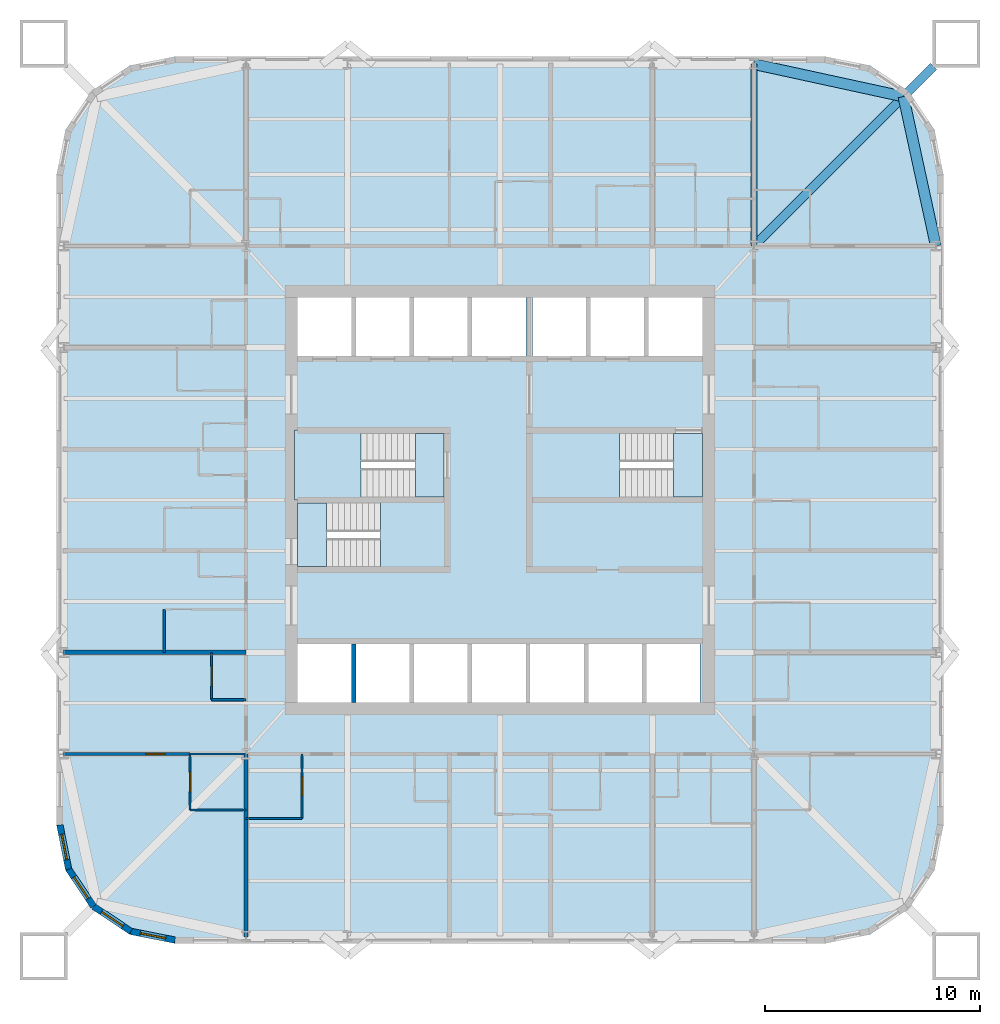
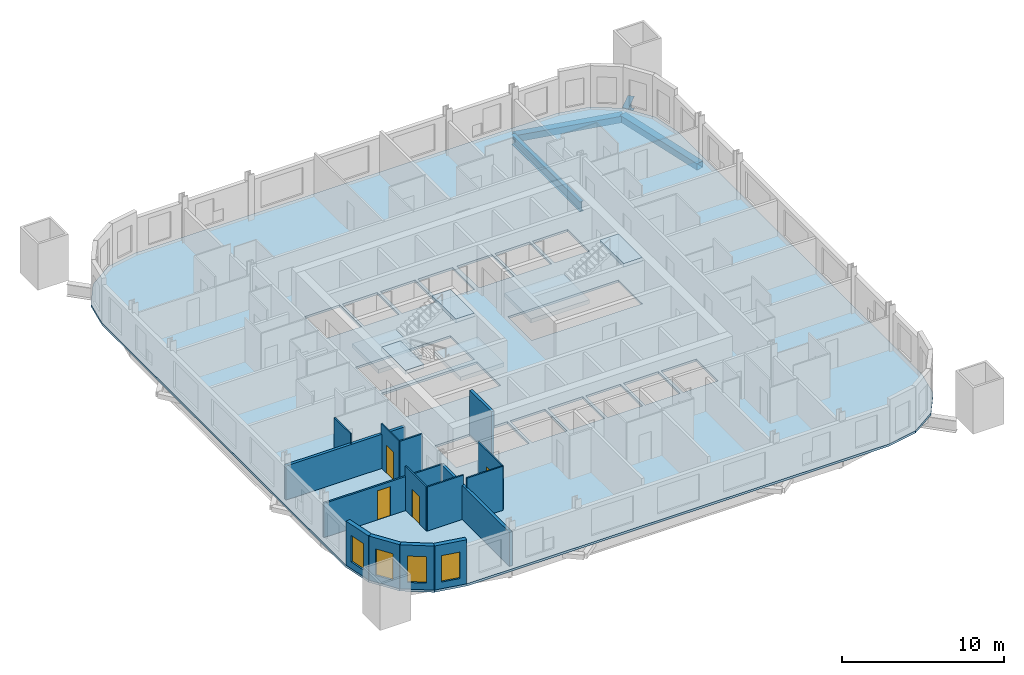
# One storey, part 2 of 9: 16 walls, 7 slabs, 4 beams, 4 doors, 4 windows, 8 openings, 3 elements without a shape of their own.
"""IFC4 building model written with IfcOpenShell, lengths in metres."""

from ifc_helpers import new_model, si_unit, direction, frame, frame_2d, origin, origin_2d, place, context, subcontext, project, spatial, polyline, rectangle, hollow_rectangle, i_section, outline, extrude, material, layer, layer_set, material_profile, profile_set, type_object, element, fill, aggregate, save


model = new_model("IFC4")

# Units and contexts
model_context = context("Model", 3, precision=1e-05, world=origin(), true_north=direction((0.0, 1.0)))
body_context = subcontext(model_context, "Body", "Model", "MODEL_VIEW")
ifc_project = project(units=[si_unit("LENGTHUNIT", "METRE"), si_unit("AREAUNIT", "SQUARE_METRE"), si_unit("VOLUMEUNIT", "CUBIC_METRE"), si_unit("PLANEANGLEUNIT", "RADIAN"), si_unit("MASSUNIT", "GRAM", prefix="KILO")], contexts=[model_context])

# Site, building, storey
site_placement = place(None, origin())
site = spatial("IfcSite", under=ifc_project, at=site_placement, CompositionType="ELEMENT")
building_placement = place(site_placement, origin())
building = spatial("IfcBuilding", under=site, at=building_placement, Name="Turquesa Mirador Hotel Tower", CompositionType="ELEMENT")
storey_placement = place(building_placement, frame((0.0, 0.0, 135.39990234375)))
storey = spatial("IfcBuildingStorey", under=building, at=storey_placement, Name="L36", CompositionType="ELEMENT", Elevation=135.39990234375)

# Beams
ifc_material_1 = material(Name="Steel ASTM A572 Grade 50", Category="steel")
ifc_material_profile_1 = material_profile(ifc_material_1, hollow_rectangle(XDim=0.5, YDim=0.5, WallThickness=0.01611328125, at=origin_2d()), Name="BOX500X500X16")
ifc_profile_set_1 = profile_set([ifc_material_profile_1], Name="Steel ASTM A572 Grade 50")
beam_type_1 = type_object("IfcBeamType", Name="BEAM BOX500X500X16", PredefinedType="BEAM", material=ifc_profile_set_1)
for number, where, z_axis, x_axis, name in (
    (1, (75.25, 56.800048828125, -0.419921875), (-0.212328336885, 0.977198381781, 0.0), (-0.977198381781, -0.212328336885, 0.0), "KE-L36-1-0"),
    (2, (73.74169921875, 63.74169921875, -0.419921875), (-0.977198381781, 0.212328336885, 0.0), (-0.212328336885, -0.977198381781, 0.0), "KE-L36-1-1"),
):
    element("IfcBeam", number, at=place(storey_placement, frame(where, z_axis=z_axis, x_axis=x_axis)), inside=storey, type_object=beam_type_1, Name=name, PredefinedType="BEAM", context=body_context, shape_type="SweptSolid", body=[
        extrude(hollow_rectangle(XDim=0.5, YDim=0.5, WallThickness=0.01611328125, at=origin_2d()), origin(), (0.0, 0.0, 1.0), 7.103515625),
    ])
ifc_material_2 = material(Name="Steel ASTM A992 Grade 50", Category="steel")
ifc_material_profile_2 = material_profile(ifc_material_2, i_section(OverallWidth=0.2666015625, OverallDepth=0.7568359375, WebThickness=0.013916015625, FlangeThickness=0.019287109375, at=origin_2d()), Name="W30X108")
ifc_profile_set_2 = profile_set([ifc_material_profile_2], Name="Steel ASTM A992 Grade 50")
beam_type_2 = type_object("IfcBeamType", Name="BEAM W30X108", PredefinedType="BEAM", material=ifc_profile_set_2)
beam_1_placement = place(storey_placement, frame((66.800048828125, 65.25, -0.54833984375), z_axis=(0.0, -1.0, 0.0), x_axis=(1.0, 0.0, 0.0)))
element("IfcBeam", 3, at=beam_1_placement, inside=storey, type_object=beam_type_2, Name="GK-L36-N-+11.80", PredefinedType="BEAM", context=body_context, shape_type="SweptSolid", body=[
    extrude(i_section(OverallWidth=0.2666015625, OverallDepth=0.7568359375, WebThickness=0.013916015625, FlangeThickness=0.019287109375, at=origin_2d()), origin(), (0.0, 0.0, 1.0), 8.449951171875),
])
ifc_material_3 = material(Name="Steel ASTM A992 Grade 50", Category="steel")
ifc_material_profile_3 = material_profile(ifc_material_3, i_section(OverallWidth=0.419189453125, OverallDepth=0.927001953125, WebThickness=0.019287109375, FlangeThickness=0.031982421875, at=origin_2d()), Name="W36X231")
ifc_profile_set_3 = profile_set([ifc_material_profile_3], Name="Steel ASTM A992 Grade 50")
beam_type_3 = type_object("IfcBeamType", Name="BEAM W36X231", PredefinedType="BEAM", material=ifc_profile_set_3)
beam_2_placement = place(storey_placement, frame((66.800048828125, 56.800048828125, -0.633544921875), z_axis=(0.707106781187, 0.707106781187, 0.0), x_axis=(-0.707106781187, 0.707106781187, 0.0)))
element("IfcBeam", 4, at=beam_2_placement, inside=storey, type_object=beam_type_3, Name="KD-L36-1", PredefinedType="BEAM", context=body_context, shape_type="SweptSolid", body=[
    extrude(i_section(OverallWidth=0.419189453125, OverallDepth=0.927001953125, WebThickness=0.019287109375, FlangeThickness=0.031982421875, at=origin_2d()), origin(), (0.0, 0.0, 1.0), 11.80859375),
])

# Slab
ifc_material_4 = material(Name="Concrete C28/35", Category="concrete")
ifc_layer_1 = layer(ifc_material_4, 0.169921875)
ifc_layer_set_1 = layer_set([ifc_layer_1], Name="COMPOSITE FLOOR SLAB 170")
slab_type_1 = type_object("IfcSlabType", Name="COMPOSITE FLOOR SLAB 170", PredefinedType="FLOOR", material=ifc_layer_set_1)
slab_1_placement = place(storey_placement, frame((0.0, 0.0, -0.169921875)))
element("IfcSlab", 5, at=slab_1_placement, inside=storey, type_object=slab_type_1, Name="Floor slab L36", PredefinedType="FLOOR", context=body_context, shape_type="SweptSolid", body=[
    extrude(outline(polyline([(70.10009765625, 24.39990234375), (72.204833984375, 24.818603515625), (73.989013671875, 26.010986328125), (75.181396484375, 27.795166015625), (75.60009765625, 29.89990234375), (75.60009765625, 60.10009765625), (75.181396484375, 62.204833984375), (73.989013671875, 63.989013671875), (72.204833984375, 65.181396484375), (70.10009765625, 65.60009765625), (39.89990234375, 65.60009765625), (37.795166015625, 65.181396484375), (36.010986328125, 63.989013671875), (34.818603515625, 62.204833984375), (34.39990234375, 60.10009765625), (34.39990234375, 29.89990234375), (34.818603515625, 27.795166015625), (36.010986328125, 26.010986328125), (37.795166015625, 24.818603515625), (39.89990234375, 24.39990234375), (70.10009765625, 24.39990234375)]), holes=[polyline([(45.60009765625, 51.699951171875), (48.10009765625, 51.699951171875), (48.10009765625, 54.39990234375), (45.60009765625, 54.39990234375), (45.60009765625, 51.699951171875)]), polyline([(48.300048828125, 51.699951171875), (50.800048828125, 51.699951171875), (50.800048828125, 54.39990234375), (48.300048828125, 54.39990234375), (48.300048828125, 51.699951171875)]), polyline([(51.0, 51.699951171875), (53.5, 51.699951171875), (53.5, 54.39990234375), (51.0, 54.39990234375), (51.0, 51.699951171875)]), polyline([(53.699951171875, 51.699951171875), (56.199951171875, 51.699951171875), (56.199951171875, 54.39990234375), (53.699951171875, 54.39990234375), (53.699951171875, 51.699951171875)]), polyline([(56.5, 51.699951171875), (59.0, 51.699951171875), (59.0, 54.39990234375), (56.5, 54.39990234375), (56.5, 51.699951171875)]), polyline([(59.199951171875, 51.699951171875), (61.699951171875, 51.699951171875), (61.699951171875, 54.39990234375), (59.199951171875, 54.39990234375), (59.199951171875, 51.699951171875)]), polyline([(45.60009765625, 35.60009765625), (48.10009765625, 35.60009765625), (48.10009765625, 38.300048828125), (45.60009765625, 38.300048828125), (45.60009765625, 35.60009765625)]), polyline([(48.300048828125, 35.60009765625), (50.800048828125, 35.60009765625), (50.800048828125, 38.300048828125), (48.300048828125, 38.300048828125), (48.300048828125, 35.60009765625)]), polyline([(51.0, 35.60009765625), (53.5, 35.60009765625), (53.5, 38.300048828125), (51.0, 38.300048828125), (51.0, 35.60009765625)]), polyline([(53.699951171875, 35.60009765625), (56.199951171875, 35.60009765625), (56.199951171875, 38.300048828125), (53.699951171875, 38.300048828125), (53.699951171875, 35.60009765625)]), polyline([(56.39990234375, 35.60009765625), (58.89990234375, 35.60009765625), (58.89990234375, 38.300048828125), (56.39990234375, 38.300048828125), (56.39990234375, 35.60009765625)]), polyline([(59.10009765625, 35.60009765625), (61.60009765625, 35.60009765625), (61.60009765625, 38.300048828125), (59.10009765625, 38.300048828125), (59.10009765625, 35.60009765625)]), polyline([(61.800048828125, 35.60009765625), (64.300048828125, 35.60009765625), (64.300048828125, 38.300048828125), (61.800048828125, 38.300048828125), (61.800048828125, 35.60009765625)]), polyline([(45.60009765625, 45.14990234375), (52.39990234375, 45.14990234375), (52.39990234375, 48.10009765625), (45.60009765625, 48.10009765625), (45.60009765625, 45.14990234375)]), polyline([(45.60009765625, 41.89990234375), (52.39990234375, 41.89990234375), (52.39990234375, 44.85009765625), (45.60009765625, 44.85009765625), (45.60009765625, 41.89990234375)]), polyline([(56.5, 45.14990234375), (64.39990234375, 45.14990234375), (64.39990234375, 48.10009765625), (56.5, 48.10009765625), (56.5, 45.14990234375)]), polyline([(61.89990234375, 51.699951171875), (64.39990234375, 51.699951171875), (64.39990234375, 54.39990234375), (61.89990234375, 54.39990234375), (61.89990234375, 51.699951171875)])]), origin(), (0.0, 0.0, 1.0), 0.169921875),
])

# Stair, slabs
ifc_material_5 = material(Name="Concrete C35/45", Category="concrete")
stair_type = type_object("IfcStairType", Name="ESCAPE STAIR CORE", PredefinedType="HALF_TURN_STAIR", material=ifc_material_5)
stair_1_placement = place(storey_placement, origin())
stair_1 = element("IfcStair", 6, at=stair_1_placement, inside=storey, type_object=stair_type, Name="Stair ST1 L36 to L37", PredefinedType="HALF_TURN_STAIR")
ifc_material_6 = material(Name="Concrete C35/45", Category="concrete")
ifc_layer_2 = layer(ifc_material_6, 0.300048828125)
ifc_layer_set_2 = layer_set([ifc_layer_2], Name="STAIR LANDING 300")
slab_type_2 = type_object("IfcSlabType", Name="STAIR LANDING 300", PredefinedType="LANDING", material=ifc_layer_set_2)
slab_2_placement = place(storey_placement, frame((0.0, 0.0, 1.4501953125)))
slab_2 = element("IfcSlab", 7, at=slab_2_placement, type_object=slab_type_2, Name="ST1 landing 1", PredefinedType="LANDING", context=body_context, shape_type="SweptSolid", body=[
    extrude(outline(polyline([(45.449951171875, 45.0), (48.550048828125, 45.0), (48.550048828125, 48.25), (45.449951171875, 48.25), (45.449951171875, 45.0)])), origin(), (0.0, 0.0, 1.0), 0.2998046875),
])
slab_3_placement = place(storey_placement, frame((0.0, 0.0, 3.2001953125)))
slab_3 = element("IfcSlab", 8, at=slab_3_placement, type_object=slab_type_2, Name="ST1 landing 2", PredefinedType="LANDING", context=body_context, shape_type="SweptSolid", body=[
    extrude(outline(polyline([(51.070068359375, 45.14990234375), (52.39990234375, 45.14990234375), (52.39990234375, 48.10009765625), (51.070068359375, 48.10009765625), (51.070068359375, 45.14990234375)])), origin(), (0.0, 0.0, 1.0), 0.2998046875),
])
aggregate(stair_1, [slab_2, slab_3])

stair_2_placement = place(storey_placement, origin())
stair_2 = element("IfcStair", 9, at=stair_2_placement, inside=storey, type_object=stair_type, Name="Stair ST2 L36 to L37", PredefinedType="HALF_TURN_STAIR")
slab_4_placement = place(storey_placement, frame((0.0, 0.0, 1.4501953125)))
slab_4 = element("IfcSlab", 10, at=slab_4_placement, type_object=slab_type_2, Name="ST2 landing 1", PredefinedType="LANDING", context=body_context, shape_type="SweptSolid", body=[
    extrude(outline(polyline([(52.550048828125, 45.0), (49.449951171875, 45.0), (49.449951171875, 41.75), (52.550048828125, 41.75), (52.550048828125, 45.0)])), origin(), (0.0, 0.0, 1.0), 0.2998046875),
])
slab_5_placement = place(storey_placement, frame((0.0, 0.0, 3.2001953125)))
slab_5 = element("IfcSlab", 11, at=slab_5_placement, type_object=slab_type_2, Name="ST2 landing 2", PredefinedType="LANDING", context=body_context, shape_type="SweptSolid", body=[
    extrude(outline(polyline([(46.929931640625, 44.85009765625), (45.60009765625, 44.85009765625), (45.60009765625, 41.89990234375), (46.929931640625, 41.89990234375), (46.929931640625, 44.85009765625)])), origin(), (0.0, 0.0, 1.0), 0.2998046875),
])
aggregate(stair_2, [slab_4, slab_5])

stair_3_placement = place(storey_placement, origin())
stair_3 = element("IfcStair", 12, at=stair_3_placement, inside=storey, type_object=stair_type, Name="Stair ST3 L36 to L37", PredefinedType="HALF_TURN_STAIR")
slab_6_placement = place(storey_placement, frame((0.0, 0.0, 1.4501953125)))
slab_6 = element("IfcSlab", 13, at=slab_6_placement, type_object=slab_type_2, Name="ST3 landing 1", PredefinedType="LANDING", context=body_context, shape_type="SweptSolid", body=[
    extrude(outline(polyline([(56.35009765625, 45.0), (60.550048828125, 45.0), (60.550048828125, 48.25), (56.35009765625, 48.25), (56.35009765625, 45.0)])), origin(), (0.0, 0.0, 1.0), 0.2998046875),
])
slab_7_placement = place(storey_placement, frame((0.0, 0.0, 3.2001953125)))
slab_7 = element("IfcSlab", 14, at=slab_7_placement, type_object=slab_type_2, Name="ST3 landing 2", PredefinedType="LANDING", context=body_context, shape_type="SweptSolid", body=[
    extrude(outline(polyline([(63.070068359375, 45.14990234375), (64.39990234375, 45.14990234375), (64.39990234375, 48.10009765625), (63.070068359375, 48.10009765625), (63.070068359375, 45.14990234375)])), origin(), (0.0, 0.0, 1.0), 0.2998046875),
])
aggregate(stair_3, [slab_6, slab_7])

# Walls
ifc_material_7 = material(Name="Gypsum board on steel studs", Category="steel")
ifc_layer_3 = layer(ifc_material_7, 0.10009765625)
ifc_layer_set_3 = layer_set([ifc_layer_3], Name="BATHROOM WALL 100")
wall_type_1 = type_object("IfcWallType", Name="BATHROOM WALL 100", PredefinedType="PARTITIONING", material=ifc_layer_set_3)
wall_1_placement = place(storey_placement, frame((40.60009765625, 33.199951171875, 0.0), z_axis=(0.0, 0.0, 1.0), x_axis=(1.0, 0.0, 0.0)))
element("IfcWall", 15, at=wall_1_placement, inside=storey, type_object=wall_type_1, Name="Partition L36 003", PredefinedType="PARTITIONING", context=body_context, shape_type="SweptSolid", body=[
    extrude(rectangle(XDim=2.599853515625, YDim=0.10009765625, at=frame_2d((1.2998046875, 0.0))), origin(), (0.0, 0.0, 1.0), 2.5732421875),
])
wall_2_placement = place(storey_placement, frame((40.60009765625, 30.60009765625, 0.0), z_axis=(0.0, 0.0, 1.0), x_axis=(1.0, 0.0, 0.0)))
element("IfcWall", 16, at=wall_2_placement, inside=storey, type_object=wall_type_1, Name="Partition L36 010", PredefinedType="PARTITIONING", context=body_context, shape_type="SweptSolid", body=[
    extrude(rectangle(XDim=2.599853515625, YDim=0.10009765625, at=frame_2d((1.2998046875, 0.0))), origin(), (0.0, 0.0, 1.0), 3.330078125),
])
wall_3_placement = place(storey_placement, frame((43.199951171875, 30.199951171875, 0.0), z_axis=(0.0, 0.0, 1.0), x_axis=(1.0, 0.0, 0.0)))
element("IfcWall", 17, at=wall_3_placement, inside=storey, type_object=wall_type_1, Name="Partition L36 014", PredefinedType="PARTITIONING", context=body_context, shape_type="SweptSolid", body=[
    extrude(rectangle(XDim=2.60009765625, YDim=0.10009765625, at=frame_2d((1.300048828125, 0.0))), origin(), (0.0, 0.0, 1.0), 3.330078125),
])
wall_4_placement = place(storey_placement, frame((41.60009765625, 35.719970703125, 0.0), z_axis=(0.0, 0.0, 1.0), x_axis=(1.0, 0.0, 0.0)))
element("IfcWall", 18, at=wall_4_placement, inside=storey, type_object=wall_type_1, Name="Partition L36 023", PredefinedType="PARTITIONING", context=body_context, shape_type="SweptSolid", body=[
    extrude(rectangle(XDim=1.599853515625, YDim=0.10009765625, at=frame_2d((0.7998046875, 0.0))), origin(), (0.0, 0.0, 1.0), 3.330078125),
])

# Wall, opening, door
wall_5_placement = place(storey_placement, frame((41.60009765625, 35.719970703125, 0.0), z_axis=(0.0, 0.0, 1.0), x_axis=(0.0, 1.0, 0.0)))
wall_5 = element("IfcWall", 19, at=wall_5_placement, inside=storey, type_object=wall_type_1, Name="Partition L36 054", PredefinedType="PARTITIONING", context=body_context, shape_type="SweptSolid", body=[
    extrude(rectangle(XDim=2.199951171875, YDim=0.10009765625, at=frame_2d((1.10009765625, 0.0))), origin(), (0.0, 0.0, 1.0), 3.330078125),
])
opening_1_placement = place(wall_5_placement, frame((0.64990234375, 0.0, 0.0)))
opening_1 = element("IfcOpeningElement", 20, at=opening_1_placement, cuts=wall_5, Name="Opening D06", PredefinedType="OPENING", context=body_context, shape_type="SweptSolid", body=[
    extrude(rectangle(XDim=0.89990234375, YDim=2.10009765625, at=frame_2d((0.449951171875, 1.050048828125))), frame((0.0, 0.06005859375, 0.0), z_axis=(0.0, -1.0, 0.0), x_axis=(1.0, 0.0, 0.0)), (0.0, 0.0, 1.0), 0.1201171875),
])
ifc_material_8 = material(Name="Laminate door", Category="wood")
door_type_1 = type_object("IfcDoorType", Name="DOOR 900X2100 WC", OperationType="SINGLE_SWING_LEFT", PredefinedType="DOOR", material=ifc_material_8)
door_1_placement = place(opening_1_placement, origin())
door_1 = element("IfcDoor", 21, at=door_1_placement, inside=storey, type_object=door_type_1, Name="Door 3616W", OperationType="SINGLE_SWING_LEFT", OverallHeight=2.10009765625, OverallWidth=0.89990234375, PredefinedType="DOOR", context=body_context, shape_type="SweptSolid", body=[
    extrude(rectangle(XDim=0.89990234375, YDim=2.10009765625, at=frame_2d((0.449951171875, 1.050048828125))), frame((0.0, 0.02490234375, 0.0), z_axis=(0.0, -1.0, 0.0), x_axis=(1.0, 0.0, 0.0)), (0.0, 0.0, 1.0), 0.050048828125),
])
fill(opening_1, door_1)

wall_6_placement = place(storey_placement, frame((40.60009765625, 30.60009765625, 0.0), z_axis=(0.0, 0.0, 1.0), x_axis=(0.0, 1.0, 0.0)))
wall_6 = element("IfcWall", 22, at=wall_6_placement, inside=storey, type_object=wall_type_1, Name="Partition L36 059", PredefinedType="PARTITIONING", context=body_context, shape_type="SweptSolid", body=[
    extrude(rectangle(XDim=2.599853515625, YDim=0.10009765625, at=frame_2d((1.2998046875, 0.0))), origin(), (0.0, 0.0, 1.0), 3.330078125),
])
opening_2_placement = place(wall_6_placement, frame((0.85009765625, 0.0, 0.0)))
opening_2 = element("IfcOpeningElement", 23, at=opening_2_placement, cuts=wall_6, Name="Opening D02", PredefinedType="OPENING", context=body_context, shape_type="SweptSolid", body=[
    extrude(rectangle(XDim=0.89990234375, YDim=2.10009765625, at=frame_2d((0.449951171875, 1.050048828125))), frame((0.0, 0.06005859375, 0.0), z_axis=(0.0, -1.0, 0.0), x_axis=(1.0, 0.0, 0.0)), (0.0, 0.0, 1.0), 0.1201171875),
])
ifc_material_9 = material(Name="Timber veneered door", Category="wood")
door_type_2 = type_object("IfcDoorType", Name="DOOR 900X2100 EN-SUITE", OperationType="SINGLE_SWING_RIGHT", PredefinedType="DOOR", material=ifc_material_9)
door_2_placement = place(opening_2_placement, origin())
door_2 = element("IfcDoor", 24, at=door_2_placement, inside=storey, type_object=door_type_2, Name="Door 3616B", OperationType="SINGLE_SWING_RIGHT", OverallHeight=2.10009765625, OverallWidth=0.89990234375, PredefinedType="DOOR", context=body_context, shape_type="SweptSolid", body=[
    extrude(rectangle(XDim=0.89990234375, YDim=2.10009765625, at=frame_2d((0.449951171875, 1.050048828125))), frame((0.0, 0.02490234375, 0.0), z_axis=(0.0, -1.0, 0.0), x_axis=(1.0, 0.0, 0.0)), (0.0, 0.0, 1.0), 0.050048828125),
])
fill(opening_2, door_2)

# Wall
wall_7_placement = place(storey_placement, frame((39.39990234375, 37.919921875, 0.0), z_axis=(0.0, 0.0, 1.0), x_axis=(0.0, 1.0, 0.0)))
element("IfcWall", 25, at=wall_7_placement, inside=storey, type_object=wall_type_1, Name="Partition L36 062", PredefinedType="PARTITIONING", context=body_context, shape_type="SweptSolid", body=[
    extrude(rectangle(XDim=2.0, YDim=0.10009765625, at=frame_2d((1.0, 0.0))), origin(), (0.0, 0.0, 1.0), 3.330078125),
])

# Wall, opening, door
wall_8_placement = place(storey_placement, frame((45.800048828125, 30.199951171875, 0.0), z_axis=(0.0, 0.0, 1.0), x_axis=(0.0, 1.0, 0.0)))
wall_8 = element("IfcWall", 26, at=wall_8_placement, inside=storey, type_object=wall_type_1, Name="Partition L36 067", PredefinedType="PARTITIONING", context=body_context, shape_type="SweptSolid", body=[
    extrude(rectangle(XDim=3.0, YDim=0.10009765625, at=frame_2d((1.5, 0.0))), origin(), (0.0, 0.0, 1.0), 3.330078125),
])
opening_3_placement = place(wall_8_placement, frame((1.050048828125, 0.0, 0.0)))
opening_3 = element("IfcOpeningElement", 27, at=opening_3_placement, cuts=wall_8, Name="Opening D02", PredefinedType="OPENING", context=body_context, shape_type="SweptSolid", body=[
    extrude(rectangle(XDim=0.89990234375, YDim=2.10009765625, at=frame_2d((0.449951171875, 1.050048828125))), frame((0.0, 0.06005859375, 0.0), z_axis=(0.0, -1.0, 0.0), x_axis=(1.0, 0.0, 0.0)), (0.0, 0.0, 1.0), 0.1201171875),
])
door_3_placement = place(opening_3_placement, origin())
door_3 = element("IfcDoor", 28, at=door_3_placement, inside=storey, type_object=door_type_2, Name="Door 3604B", OperationType="SINGLE_SWING_RIGHT", OverallHeight=2.10009765625, OverallWidth=0.89990234375, PredefinedType="DOOR", context=body_context, shape_type="SweptSolid", body=[
    extrude(rectangle(XDim=0.89990234375, YDim=2.10009765625, at=frame_2d((0.449951171875, 1.050048828125))), frame((0.0, 0.02490234375, 0.0), z_axis=(0.0, -1.0, 0.0), x_axis=(1.0, 0.0, 0.0)), (0.0, 0.0, 1.0), 0.050048828125),
])
fill(opening_3, door_3)

# Wall, opening, window
ifc_material_10 = material(Name="Limestone cladding on concrete block", Category="masonry")
ifc_layer_4 = layer(ifc_material_10, 0.300048828125)
ifc_layer_set_4 = layer_set([ifc_layer_4], Name="FACADE WALL 300 STONE SCREEN")
wall_type_2 = type_object("IfcWallType", Name="FACADE WALL 300 STONE SCREEN", PredefinedType="SOLIDWALL", material=ifc_layer_set_4)
wall_9_placement = place(storey_placement, frame((34.550048828125, 29.89990234375, 0.0), z_axis=(0.0, 0.0, 1.0), x_axis=(0.195081421501, -0.980787050784, 0.0)))
wall_9 = element("IfcWall", 29, at=wall_9_placement, inside=storey, type_object=wall_type_2, Name="Facade wall L36 15", PredefinedType="SOLIDWALL", context=body_context, shape_type="SweptSolid", body=[
    extrude(rectangle(XDim=2.08740234375, YDim=0.300048828125, at=frame_2d((1.043701171875, 0.0))), origin(), (0.0, 0.0, 1.0), 3.330078125),
])
opening_4_placement = place(wall_9_placement, frame((0.443603515625, 0.0, 0.5)))
opening_4 = element("IfcOpeningElement", 30, at=opening_4_placement, cuts=wall_9, Name="Opening WN4", PredefinedType="OPENING", context=body_context, shape_type="SweptSolid", body=[
    extrude(rectangle(XDim=1.199951171875, YDim=2.0, at=frame_2d((0.60009765625, 1.0))), frame((0.0, 0.159912109375, 0.0), z_axis=(0.0, -1.0, 0.0), x_axis=(1.0, 0.0, 0.0)), (0.0, 0.0, 1.0), 0.320068359375),
])
ifc_material_11 = material(Name="Ceramic-fritted laminated glass", Category="glass")
window_type = type_object("IfcWindowType", Name="FRITTED CORNER WINDOW 1200X2000", PartitioningType="DOUBLE_PANEL_HORIZONTAL", PredefinedType="WINDOW", material=ifc_material_11)
window_1_placement = place(opening_4_placement, origin())
window_1 = element("IfcWindow", 31, at=window_1_placement, inside=storey, type_object=window_type, Name="Window L36", OverallHeight=2.0, OverallWidth=1.199951171875, PartitioningType="SINGLE_PANEL", PredefinedType="WINDOW", context=body_context, shape_type="SweptSolid", body=[
    extrude(rectangle(XDim=1.199951171875, YDim=2.0, at=frame_2d((0.60009765625, 1.0))), frame((0.0, 0.030029296875, 0.0), z_axis=(0.0, -1.0, 0.0), x_axis=(1.0, 0.0, 0.0)), (0.0, 0.0, 1.0), 0.06005859375),
])
fill(opening_4, window_1)

wall_10_placement = place(storey_placement, frame((34.957275390625, 27.8525390625, 0.0), z_axis=(0.0, 0.0, 1.0), x_axis=(0.555563607591, -0.831474039234, 0.0)))
wall_10 = element("IfcWall", 32, at=wall_10_placement, inside=storey, type_object=wall_type_2, Name="Facade wall L36 16", PredefinedType="SOLIDWALL", context=body_context, shape_type="SweptSolid", body=[
    extrude(rectangle(XDim=2.08740234375, YDim=0.300048828125, at=frame_2d((1.043701171875, 0.0))), origin(), (0.0, 0.0, 1.0), 3.330078125),
])
opening_5_placement = place(wall_10_placement, frame((0.443603515625, 0.0, 0.5)))
opening_5 = element("IfcOpeningElement", 33, at=opening_5_placement, cuts=wall_10, Name="Opening WN4", PredefinedType="OPENING", context=body_context, shape_type="SweptSolid", body=[
    extrude(rectangle(XDim=1.199951171875, YDim=2.0, at=frame_2d((0.60009765625, 1.0))), frame((0.0, 0.159912109375, 0.0), z_axis=(0.0, -1.0, 0.0), x_axis=(1.0, 0.0, 0.0)), (0.0, 0.0, 1.0), 0.320068359375),
])
window_2_placement = place(opening_5_placement, origin())
window_2 = element("IfcWindow", 34, at=window_2_placement, inside=storey, type_object=window_type, Name="Window L36", OverallHeight=2.0, OverallWidth=1.199951171875, PartitioningType="SINGLE_PANEL", PredefinedType="WINDOW", context=body_context, shape_type="SweptSolid", body=[
    extrude(rectangle(XDim=1.199951171875, YDim=2.0, at=frame_2d((0.60009765625, 1.0))), frame((0.0, 0.030029296875, 0.0), z_axis=(0.0, -1.0, 0.0), x_axis=(1.0, 0.0, 0.0)), (0.0, 0.0, 1.0), 0.06005859375),
])
fill(opening_5, window_2)

wall_11_placement = place(storey_placement, frame((36.116943359375, 26.116943359375, 0.0), z_axis=(0.0, 0.0, 1.0), x_axis=(0.831474039234, -0.555563607591, 0.0)))
wall_11 = element("IfcWall", 35, at=wall_11_placement, inside=storey, type_object=wall_type_2, Name="Facade wall L36 17", PredefinedType="SOLIDWALL", context=body_context, shape_type="SweptSolid", body=[
    extrude(rectangle(XDim=2.08740234375, YDim=0.300048828125, at=frame_2d((1.043701171875, 0.0))), origin(), (0.0, 0.0, 1.0), 3.330078125),
])
opening_6_placement = place(wall_11_placement, frame((0.443603515625, 0.0, 0.5)))
opening_6 = element("IfcOpeningElement", 36, at=opening_6_placement, cuts=wall_11, Name="Opening WN4", PredefinedType="OPENING", context=body_context, shape_type="SweptSolid", body=[
    extrude(rectangle(XDim=1.199951171875, YDim=2.0, at=frame_2d((0.60009765625, 1.0))), frame((0.0, 0.159912109375, 0.0), z_axis=(0.0, -1.0, 0.0), x_axis=(1.0, 0.0, 0.0)), (0.0, 0.0, 1.0), 0.320068359375),
])
window_3_placement = place(opening_6_placement, origin())
window_3 = element("IfcWindow", 37, at=window_3_placement, inside=storey, type_object=window_type, Name="Window L36", OverallHeight=2.0, OverallWidth=1.199951171875, PartitioningType="SINGLE_PANEL", PredefinedType="WINDOW", context=body_context, shape_type="SweptSolid", body=[
    extrude(rectangle(XDim=1.199951171875, YDim=2.0, at=frame_2d((0.60009765625, 1.0))), frame((0.0, 0.030029296875, 0.0), z_axis=(0.0, -1.0, 0.0), x_axis=(1.0, 0.0, 0.0)), (0.0, 0.0, 1.0), 0.06005859375),
])
fill(opening_6, window_3)

wall_12_placement = place(storey_placement, frame((37.8525390625, 24.957275390625, 0.0), z_axis=(0.0, 0.0, 1.0), x_axis=(0.980787050784, -0.195081421501, 0.0)))
wall_12 = element("IfcWall", 38, at=wall_12_placement, inside=storey, type_object=wall_type_2, Name="Facade wall L36 18", PredefinedType="SOLIDWALL", context=body_context, shape_type="SweptSolid", body=[
    extrude(rectangle(XDim=2.08740234375, YDim=0.300048828125, at=frame_2d((1.043701171875, 0.0))), origin(), (0.0, 0.0, 1.0), 3.330078125),
])
opening_7_placement = place(wall_12_placement, frame((0.443603515625, 0.0, 0.5)))
opening_7 = element("IfcOpeningElement", 39, at=opening_7_placement, cuts=wall_12, Name="Opening WN4", PredefinedType="OPENING", context=body_context, shape_type="SweptSolid", body=[
    extrude(rectangle(XDim=1.199951171875, YDim=2.0, at=frame_2d((0.60009765625, 1.0))), frame((0.0, 0.159912109375, 0.0), z_axis=(0.0, -1.0, 0.0), x_axis=(1.0, 0.0, 0.0)), (0.0, 0.0, 1.0), 0.320068359375),
])
window_4_placement = place(opening_7_placement, origin())
window_4 = element("IfcWindow", 40, at=window_4_placement, inside=storey, type_object=window_type, Name="Window L36", OverallHeight=2.0, OverallWidth=1.199951171875, PartitioningType="SINGLE_PANEL", PredefinedType="WINDOW", context=body_context, shape_type="SweptSolid", body=[
    extrude(rectangle(XDim=1.199951171875, YDim=2.0, at=frame_2d((0.60009765625, 1.0))), frame((0.0, 0.030029296875, 0.0), z_axis=(0.0, -1.0, 0.0), x_axis=(1.0, 0.0, 0.0)), (0.0, 0.0, 1.0), 0.06005859375),
])
fill(opening_7, window_4)

# Walls
ifc_material_12 = material(Name="Fire-rated gypsum shaft wall on steel studs", Category="steel")
ifc_layer_5 = layer(ifc_material_12, 0.199951171875)
ifc_layer_set_5 = layer_set([ifc_layer_5], Name="LIFT SHAFT DIVIDER 200")
wall_type_3 = type_object("IfcWallType", Name="LIFT SHAFT DIVIDER 200", PredefinedType="PARTITIONING", material=ifc_layer_set_5)
wall_13_placement = place(storey_placement, frame((48.199951171875, 35.60009765625, 0.0), z_axis=(0.0, 0.0, 1.0), x_axis=(0.0, 1.0, 0.0)))
element("IfcWall", 41, at=wall_13_placement, inside=storey, type_object=wall_type_3, Name="Lift shaft divider", PredefinedType="PARTITIONING", context=body_context, shape_type="SweptSolid", body=[
    extrude(rectangle(XDim=2.699951171875, YDim=0.199951171875, at=frame_2d((1.35009765625, 0.0))), origin(), (0.0, 0.0, 1.0), 3.330078125),
])
ifc_material_13 = material(Name="Fire-rated gypsum board on steel studs", Category="steel")
ifc_layer_6 = layer(ifc_material_13, 0.199951171875)
ifc_layer_set_6 = layer_set([ifc_layer_6], Name="PARTY WALL 200")
wall_type_4 = type_object("IfcWallType", Name="PARTY WALL 200", PredefinedType="PARTITIONING", material=ifc_layer_set_6)
for number, where, z_axis, x_axis, name in (
    (42, (34.699951171875, 37.919921875, 0.0), (0.0, 0.0, 1.0), (1.0, 0.0, 0.0), "Partition L36 021"),
    (43, (43.199951171875, 24.699951171875, 0.0), (0.0, 0.0, 1.0), (0.0, 1.0, 0.0), "Partition L36 052"),
):
    element("IfcWall", number, at=place(storey_placement, frame(where, z_axis=z_axis, x_axis=x_axis)), inside=storey, type_object=wall_type_4, Name=name, PredefinedType="PARTITIONING", context=body_context, shape_type="SweptSolid", body=[
        extrude(rectangle(XDim=8.5, YDim=0.199951171875, at=frame_2d((4.25, 0.0))), origin(), (0.0, 0.0, 1.0), 2.5732421875),
    ])

# Wall, opening, door
ifc_material_14 = material(Name="Acoustic gypsum board on steel studs", Category="steel")
ifc_layer_7 = layer(ifc_material_14, 0.125)
ifc_layer_set_7 = layer_set([ifc_layer_7], Name="SUITE PARTITION 125")
wall_type_5 = type_object("IfcWallType", Name="SUITE PARTITION 125", PredefinedType="PARTITIONING", material=ifc_layer_set_7)
wall_14_placement = place(storey_placement, frame((34.699951171875, 33.199951171875, 0.0), z_axis=(0.0, 0.0, 1.0), x_axis=(1.0, 0.0, 0.0)))
wall_14 = element("IfcWall", 44, at=wall_14_placement, inside=storey, type_object=wall_type_5, Name="Partition L36 006", PredefinedType="PARTITIONING", context=body_context, shape_type="SweptSolid", body=[
    extrude(rectangle(XDim=5.900146484375, YDim=0.125, at=frame_2d((2.9501953125, 0.0))), origin(), (0.0, 0.0, 1.0), 2.5732421875),
])
opening_8_placement = place(wall_14_placement, frame((3.85009765625, 0.0, 0.0)))
opening_8 = element("IfcOpeningElement", 45, at=opening_8_placement, cuts=wall_14, Name="Opening D17", PredefinedType="OPENING", context=body_context, shape_type="SweptSolid", body=[
    extrude(rectangle(XDim=0.89990234375, YDim=2.199951171875, at=frame_2d((0.449951171875, 1.10009765625))), frame((0.0, 0.072509765625, 0.0), z_axis=(0.0, -1.0, 0.0), x_axis=(1.0, 0.0, 0.0)), (0.0, 0.0, 1.0), 0.14501953125),
])
ifc_material_15 = material(Name="Timber veneered door", Category="wood")
door_type_3 = type_object("IfcDoorType", Name="DOOR 900X2200 SUITE INTERNAL", OperationType="SINGLE_SWING_LEFT", PredefinedType="DOOR", material=ifc_material_15)
door_4_placement = place(opening_8_placement, origin())
door_4 = element("IfcDoor", 46, at=door_4_placement, inside=storey, type_object=door_type_3, Name="Door 3616R", OperationType="SINGLE_SWING_LEFT", OverallHeight=2.199951171875, OverallWidth=0.89990234375, PredefinedType="DOOR", context=body_context, shape_type="SweptSolid", body=[
    extrude(rectangle(XDim=0.89990234375, YDim=2.199951171875, at=frame_2d((0.449951171875, 1.10009765625))), frame((0.0, 0.02490234375, 0.0), z_axis=(0.0, -1.0, 0.0), x_axis=(1.0, 0.0, 0.0)), (0.0, 0.0, 1.0), 0.050048828125),
])
fill(opening_8, door_4)

save(model, "model.ifc")
